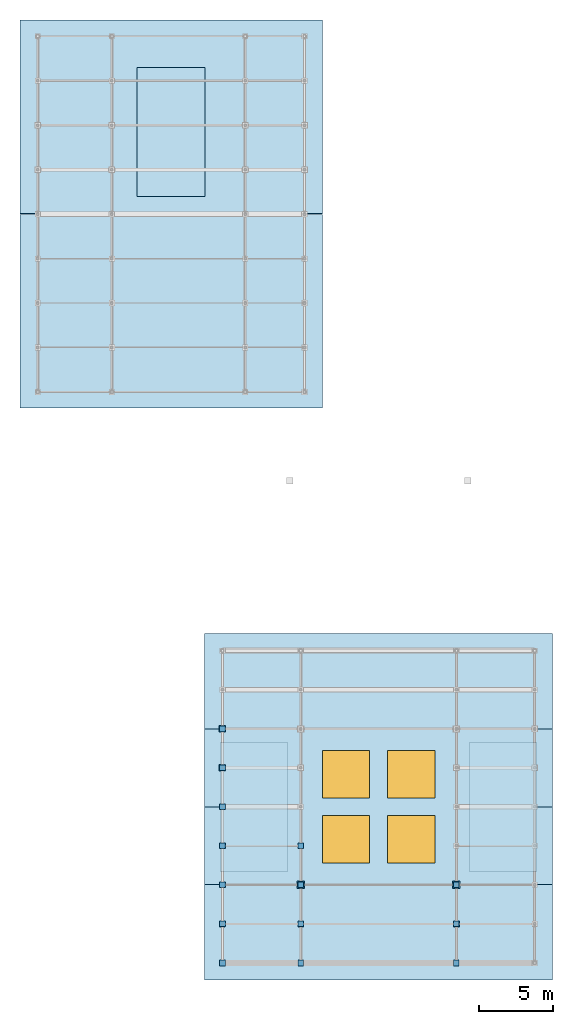
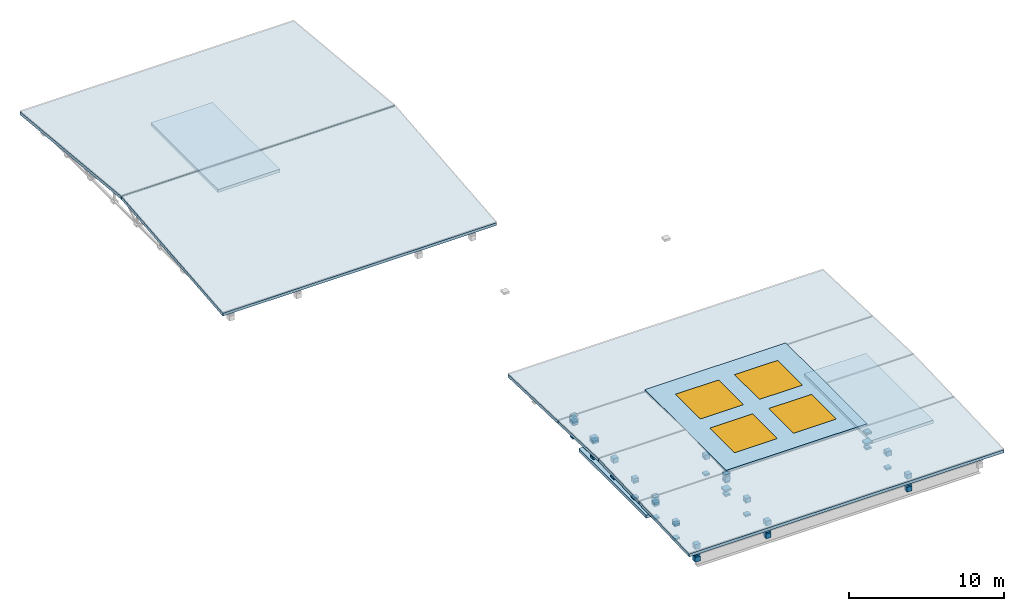
# One storey, part 21 of 25: 49 discrete accessories, 12 slabs, 4 windows, 4 openings.
"""IFC4 building model written with IfcOpenShell, lengths in metres."""

import ifcopenshell
import ifcopenshell.guid

model = None  # the IFC model being written
_history = None  # IfcOwnerHistory: only IFC2X3 demands one
_inside = {}  # id of a spatial element -> (the spatial element, [elements in it])
_under = {}  # id of a project, library or spatial element -> (it, [spatial elements below it])
_declared = {}  # id of a project -> (the project, [libraries it declares])
_typed = {}  # id of a type object -> (the type object, [elements of that type])
_made_of = {}  # id of a material, layer set ... -> (it, [elements and type objects made of it])


def new_model(schema):
    """Start an empty IFC model of exactly this schema.

    Asked for "IFC4X3", IfcOpenShell would pick the latest addendum, in which some entities
    have other attributes; the version numbers below select the first issue.
    IFC2X3 requires an IfcOwnerHistory on every rooted entity: one is made here for all.
    """
    global model, _history
    if schema == "IFC4X3":
        model = ifcopenshell.file(schema_version=(4, 3, 0, 0))
    else:
        model = ifcopenshell.file(schema=schema)
    _inside.clear()
    _under.clear()
    _declared.clear()
    _typed.clear()
    _made_of.clear()
    _history = None
    if model.schema == "IFC2X3":
        org = make("IfcOrganization", Name="unknown")
        user = make(
            "IfcPersonAndOrganization",
            ThePerson=make("IfcPerson", FamilyName="unknown"),
            TheOrganization=org,
        )
        app = make(
            "IfcApplication",
            ApplicationDeveloper=org,
            Version="unknown",
            ApplicationFullName="unknown",
            ApplicationIdentifier="unknown",
        )
        _history = make(
            "IfcOwnerHistory",
            OwningUser=user,
            OwningApplication=app,
            ChangeAction="ADDED",
            CreationDate=0,
        )
    return model


def make(cls, **values):
    """One entity of the class cls with the attributes given. An attribute that is None is left unset."""
    return model.create_entity(
        cls, **{name: value for name, value in values.items() if value is not None}
    )


def rooted(cls, **values):
    """An entity with a GlobalId (a new one), such as an element, a storey or a relation."""
    return make(cls, GlobalId=ifcopenshell.guid.new(), OwnerHistory=_history, **values)


def si_unit(unit_type, name, prefix=None):
    """IfcSIUnit, for example si_unit("LENGTHUNIT", "METRE", prefix="MILLI")."""
    return make("IfcSIUnit", UnitType=unit_type, Prefix=prefix, Name=name)


def assignment(units):
    """IfcUnitAssignment: the units of a project."""
    return None if units is None else make("IfcUnitAssignment", Units=units)


def point(xyz):
    """IfcCartesianPoint."""
    return None if xyz is None else make("IfcCartesianPoint", Coordinates=xyz)


def direction(xyz):
    """IfcDirection."""
    return None if xyz is None else make("IfcDirection", DirectionRatios=xyz)


def frame(location, z_axis=None, x_axis=None):
    """IfcAxis2Placement3D, a coordinate frame: its origin and axes. An axis left out is left unset."""
    return make(
        "IfcAxis2Placement3D",
        Location=point(location),
        Axis=direction(z_axis),
        RefDirection=direction(x_axis),
    )


def frame_2d(location, x_axis=None):
    """IfcAxis2Placement2D, a coordinate frame in the plane: its origin and x axis."""
    return make(
        "IfcAxis2Placement2D", Location=point(location), RefDirection=direction(x_axis)
    )


def origin():
    """The frame at (0, 0, 0) with its axes left unset."""
    return frame((0.0, 0.0, 0.0))


def origin_2d():
    """The frame at (0, 0) in the plane with its x axis left unset."""
    return frame_2d((0.0, 0.0))


def place(relative_to, where):
    """IfcLocalPlacement: puts the frame where relative to a parent placement (None: the world)."""
    return make(
        "IfcLocalPlacement", PlacementRelTo=relative_to, RelativePlacement=where
    )


def context(
    kind, dimensions, precision=None, world=None, true_north=None, identifier=None
):
    """IfcGeometricRepresentationContext, for example the 3D "Model" context."""
    return make(
        "IfcGeometricRepresentationContext",
        ContextIdentifier=identifier,
        ContextType=kind,
        CoordinateSpaceDimension=dimensions,
        Precision=precision,
        WorldCoordinateSystem=world,
        TrueNorth=true_north,
    )


def subcontext(parent, identifier, kind, view, scale=None):
    """IfcGeometricRepresentationSubContext, for example "Body" below "Model"."""
    return make(
        "IfcGeometricRepresentationSubContext",
        ContextIdentifier=identifier,
        ContextType=kind,
        ParentContext=parent,
        TargetScale=scale,
        TargetView=view,
    )


def project(units=None, contexts=None):
    """IfcProject with its units and contexts."""
    return rooted(
        "IfcProject",
        Name="project",
        RepresentationContexts=contexts,
        UnitsInContext=assignment(units),
    )


def spatial(cls, under=None, at=None, **own):
    """A site, building, storey or space (cls), placed at a placement, below another one or the project."""
    s = rooted(cls, ObjectPlacement=at, **own)
    if under is not None:
        _under.setdefault(under.id(), (under, []))[1].append(s)
    return s


def polyline(points):
    """IfcPolyline through the points."""
    return make("IfcPolyline", Points=[point(p) for p in points])


def profile(cls, at=None, kind="AREA", **sizes):
    """A parametric profile (cls). Its sizes go by their IFC names, for example OverallWidth=200.0."""
    return make(cls, ProfileType=kind, Position=at, **sizes)


def rectangle(**sizes):
    """IfcRectangleProfileDef."""
    return profile("IfcRectangleProfileDef", **sizes)


def outline(outer, holes=None, kind="AREA"):
    """IfcArbitraryClosedProfileDef: a profile drawn as a closed curve; with holes, ...WithVoids."""
    if holes is None:
        return make("IfcArbitraryClosedProfileDef", ProfileType=kind, OuterCurve=outer)
    return make(
        "IfcArbitraryProfileDefWithVoids",
        ProfileType=kind,
        OuterCurve=outer,
        InnerCurves=holes,
    )


def extrude(swept, where, along, depth):
    """IfcExtrudedAreaSolid: the profile swept, set in the frame where, extruded along a direction by depth."""
    return make(
        "IfcExtrudedAreaSolid",
        SweptArea=swept,
        Position=where,
        ExtrudedDirection=direction(along),
        Depth=depth,
    )


def shape(context_of_items, identifier, shape_type, items):
    """IfcShapeRepresentation: the items that make up one representation, for example the "Body"."""
    return make(
        "IfcShapeRepresentation",
        ContextOfItems=context_of_items,
        RepresentationIdentifier=identifier,
        RepresentationType=shape_type,
        Items=items,
    )


def material(Name=None, Category=None):
    """IfcMaterial."""
    return make("IfcMaterial", Name=Name, Category=Category)


def layer(
    of_material, thickness, ventilated=None, Name=None, Category=None, Priority=None
):
    """IfcMaterialLayer: one layer of a wall or slab, of a material (None: an air gap)."""
    return make(
        "IfcMaterialLayer",
        Material=of_material,
        LayerThickness=thickness,
        IsVentilated=ventilated,
        Name=Name,
        Category=Category,
        Priority=Priority,
    )


def layer_set(layers, Name=None):
    """IfcMaterialLayerSet."""
    return make("IfcMaterialLayerSet", MaterialLayers=layers, LayerSetName=Name)


def made_of(thing, what):
    """Note that an element or type object is made of a material, layer set ...; save() writes the relation."""
    if what is not None:
        _made_of.setdefault(what.id(), (what, []))[1].append(thing)
    return thing


def type_object(cls, material=None, **own):
    """A type object (cls), such as IfcWallType, which elements share."""
    return made_of(rooted(cls, **own), material)


def element(
    cls,
    number,
    at=None,
    inside=None,
    cuts=None,
    type_object=None,
    material=None,
    context=None,
    identifier="Body",
    shape_type=None,
    held_by="IfcProductDefinitionShape",
    body=None,
    shapes=None,
    **own,
):
    """One element of the class cls, such as IfcWall. Its Tag is "e" and its number.

    at: its placement. inside: the storey or other place that contains it. cuts: it is an
    opening in that element (IfcRelVoidsElement). A single representation is given by context,
    identifier, shape_type and body (its items); several are given by shapes. held_by: the class
    of the entity that holds the representations. save() writes the other relations.
    """
    e = rooted(cls, Tag="e%d" % number, ObjectPlacement=at, **own)
    if body is not None:
        shapes = [shape(context, identifier, shape_type, body)]
    if shapes is not None:
        e.Representation = make(held_by, Representations=shapes)
    if inside is not None:
        _inside.setdefault(inside.id(), (inside, []))[1].append(e)
    if cuts is not None:
        rooted(
            "IfcRelVoidsElement", RelatingBuildingElement=cuts, RelatedOpeningElement=e
        )
    if type_object is not None:
        _typed.setdefault(type_object.id(), (type_object, []))[1].append(e)
    return made_of(e, material)


def fill(opening, filler):
    """IfcRelFillsElement: the door or window that sits in an opening."""
    return rooted(
        "IfcRelFillsElement",
        RelatingOpeningElement=opening,
        RelatedBuildingElement=filler,
    )


def aggregate(whole, parts):
    """IfcRelAggregates: a whole, such as a stair, and the parts it consists of."""
    return rooted("IfcRelAggregates", RelatingObject=whole, RelatedObjects=parts)


def save(model, path):
    """Write the relations noted so far, then the file.

    IfcRelAggregates (storeys below a building ...), IfcRelContainedInSpatialStructure (elements
    in a storey), IfcRelDefinesByType, IfcRelAssociatesMaterial and IfcRelDeclares: one each for
    every whole, place, type object, material and project.
    """
    for whole, parts in _under.values():
        aggregate(whole, parts)
    for where, things in _inside.values():
        rooted(
            "IfcRelContainedInSpatialStructure",
            RelatedElements=things,
            RelatingStructure=where,
        )
    for kind, things in _typed.values():
        rooted("IfcRelDefinesByType", RelatedObjects=things, RelatingType=kind)
    for what, things in _made_of.values():
        rooted("IfcRelAssociatesMaterial", RelatedObjects=things, RelatingMaterial=what)
    for by, libraries in _declared.values():
        rooted("IfcRelDeclares", RelatingContext=by, RelatedDefinitions=libraries)
    model.write(path)


model = new_model("IFC4")

# Units and contexts
model_context = context("Model", 3, precision=1e-05, world=origin(), true_north=direction((0.0, 1.0)))
body_context = subcontext(model_context, "Body", "Model", "MODEL_VIEW")
ifc_project = project(units=[si_unit("LENGTHUNIT", "METRE"), si_unit("AREAUNIT", "SQUARE_METRE"), si_unit("VOLUMEUNIT", "CUBIC_METRE"), si_unit("PLANEANGLEUNIT", "RADIAN"), si_unit("MASSUNIT", "GRAM", prefix="KILO"), si_unit("THERMODYNAMICTEMPERATUREUNIT", "KELVIN"), si_unit("POWERUNIT", "WATT")], contexts=[model_context])

# Site, building, storey
site_placement = place(None, origin())
site = spatial("IfcSite", under=ifc_project, at=site_placement, CompositionType="ELEMENT")
building_placement = place(site_placement, origin())
building = spatial("IfcBuilding", under=site, at=building_placement, Name="Zelmaris Science Centre", CompositionType="ELEMENT")
storey_placement = place(building_placement, frame((0.0, 0.0, 30.0)))
storey = spatial("IfcBuildingStorey", under=building, at=storey_placement, Name="RF", CompositionType="ELEMENT", Elevation=30.0)

# Slabs
ifc_material_1 = material(Name="Concrete C35/45", Category="concrete")
ifc_layer = layer(ifc_material_1, 0.239990234375, Name="Concrete C35/45")
ifc_layer_set = layer_set([ifc_layer], Name="Concrete C35/45")
slab_type = type_object("IfcSlabType", Name="Slab SL-RF240 240mm", PredefinedType="ROOF", material=ifc_layer_set)
for number, where, z_axis, x_axis, name in (
    (1, (56.800048828125, 62.89990234375, 1.694580078125), (0.0, -0.095391203525, 0.995439861714), (1.0, 0.0, 0.0), "RF-V5 Hurricane pitched roof slab S"),
    (2, (56.800048828125, 76.0380859375, 2.9462890625), (0.0, 0.095391203525, 0.995439861714), (1.0, 0.0, 0.0), "RF-V5 Hurricane pitched roof slab N"),
):
    element("IfcSlab", number, at=place(storey_placement, frame(where, z_axis=z_axis, x_axis=x_axis)), inside=storey, type_object=slab_type, Name=name, PredefinedType="ROOF", context=body_context, shape_type="SweptSolid", body=[
        extrude(outline(polyline([(0.0, 0.0), (20.39990234375, 0.0), (20.39990234375, 13.121849165507406), (0.0, 13.121849165507406), (0.0, 0.0)])), origin(), (0.0, 0.0, -1.0), 0.239990234375),
    ])

# Slab, openings, windows
slab_1_placement = place(storey_placement, frame((0.0, 0.0, 1.93994140625)))
slab_1 = element("IfcSlab", 3, at=slab_1_placement, inside=storey, type_object=slab_type, Name="RF-V2 Skylight lantern roof deck", PredefinedType="ROOF", context=body_context, shape_type="SweptSolid", body=[
    extrude(outline(polyline([(75.75, 30.75), (86.25, 30.75), (86.25, 41.25), (75.75, 41.25), (75.75, 30.75)])), origin(), (0.0, 0.0, 1.0), 0.239990234375),
])
opening_1_placement = place(slab_1_placement, frame((78.800048828125, 33.800048828125, 0.0)))
opening_1 = element("IfcOpeningElement", 4, at=opening_1_placement, cuts=slab_1, Name="Opening SK-03", PredefinedType="OPENING", context=body_context, shape_type="SweptSolid", body=[
    extrude(rectangle(XDim=3.199951171875, YDim=3.199951171875, at=origin_2d()), frame((0.0, 0.0, -0.010009765625)), (0.0, 0.0, 1.0), 0.260009765625),
])
opening_2_placement = place(slab_1_placement, frame((83.199951171875, 33.800048828125, 0.0)))
opening_2 = element("IfcOpeningElement", 5, at=opening_2_placement, cuts=slab_1, Name="Opening SK-03", PredefinedType="OPENING", context=body_context, shape_type="SweptSolid", body=[
    extrude(rectangle(XDim=3.199951171875, YDim=3.199951171875, at=origin_2d()), frame((0.0, 0.0, -0.010009765625)), (0.0, 0.0, 1.0), 0.260009765625),
])
opening_3_placement = place(slab_1_placement, frame((78.800048828125, 38.199951171875, 0.0)))
opening_3 = element("IfcOpeningElement", 6, at=opening_3_placement, cuts=slab_1, Name="Opening SK-03", PredefinedType="OPENING", context=body_context, shape_type="SweptSolid", body=[
    extrude(rectangle(XDim=3.199951171875, YDim=3.199951171875, at=origin_2d()), frame((0.0, 0.0, -0.010009765625)), (0.0, 0.0, 1.0), 0.260009765625),
])
opening_4_placement = place(slab_1_placement, frame((83.199951171875, 38.199951171875, 0.0)))
opening_4 = element("IfcOpeningElement", 7, at=opening_4_placement, cuts=slab_1, Name="Opening SK-03", PredefinedType="OPENING", context=body_context, shape_type="SweptSolid", body=[
    extrude(rectangle(XDim=3.199951171875, YDim=3.199951171875, at=origin_2d()), frame((0.0, 0.0, -0.010009765625)), (0.0, 0.0, 1.0), 0.260009765625),
])
ifc_material_2 = material(Name="Laminated hurricane-rated low-E insulated glazing", Category="glass")
window_type = type_object("IfcWindowType", Name="Roof Skylight SK-03 3200x3200", PartitioningType="SINGLE_PANEL", PredefinedType="SKYLIGHT", material=ifc_material_2)
window_1_placement = place(opening_1_placement, frame((0.0, 0.0, 0.18994140625)))
window_1 = element("IfcWindow", 8, at=window_1_placement, inside=storey, type_object=window_type, Name="Atrium lantern skylight SW", OverallHeight=3.199951171875, OverallWidth=3.199951171875, PartitioningType="SINGLE_PANEL", PredefinedType="SKYLIGHT", context=body_context, shape_type="SweptSolid", body=[
    extrude(rectangle(XDim=3.199951171875, YDim=3.199951171875, at=origin_2d()), origin(), (0.0, 0.0, 1.0), 0.050048828125),
])
fill(opening_1, window_1)
window_2_placement = place(opening_2_placement, frame((0.0, 0.0, 0.18994140625)))
window_2 = element("IfcWindow", 9, at=window_2_placement, inside=storey, type_object=window_type, Name="Atrium lantern skylight SE", OverallHeight=3.199951171875, OverallWidth=3.199951171875, PartitioningType="SINGLE_PANEL", PredefinedType="SKYLIGHT", context=body_context, shape_type="SweptSolid", body=[
    extrude(rectangle(XDim=3.199951171875, YDim=3.199951171875, at=origin_2d()), origin(), (0.0, 0.0, 1.0), 0.050048828125),
])
fill(opening_2, window_2)
window_3_placement = place(opening_3_placement, frame((0.0, 0.0, 0.18994140625)))
window_3 = element("IfcWindow", 10, at=window_3_placement, inside=storey, type_object=window_type, Name="Atrium lantern skylight NW", OverallHeight=3.199951171875, OverallWidth=3.199951171875, PartitioningType="SINGLE_PANEL", PredefinedType="SKYLIGHT", context=body_context, shape_type="SweptSolid", body=[
    extrude(rectangle(XDim=3.199951171875, YDim=3.199951171875, at=origin_2d()), origin(), (0.0, 0.0, 1.0), 0.050048828125),
])
fill(opening_3, window_3)
window_4_placement = place(opening_4_placement, frame((0.0, 0.0, 0.18994140625)))
window_4 = element("IfcWindow", 11, at=window_4_placement, inside=storey, type_object=window_type, Name="Atrium lantern skylight NE", OverallHeight=3.199951171875, OverallWidth=3.199951171875, PartitioningType="SINGLE_PANEL", PredefinedType="SKYLIGHT", context=body_context, shape_type="SweptSolid", body=[
    extrude(rectangle(XDim=3.199951171875, YDim=3.199951171875, at=origin_2d()), origin(), (0.0, 0.0, 1.0), 0.050048828125),
])
fill(opening_4, window_4)

# Slabs
for number, where, z_axis, x_axis, name in (
    (12, (69.26416015625, 24.314208984375, 1.758544921875), (0.0, -0.036014707219, 0.99935126), (1.0, 0.0, 0.0), "RF-V2 Hurricane pitched roof slab S"),
    (13, (69.26416015625, 41.25, 1.990478515625), (0.0, 0.036014707219, 0.99935126), (1.0, 0.0, 0.0), "RF-V2 Hurricane pitched roof slab N"),
):
    element("IfcSlab", number, at=place(storey_placement, frame(where, z_axis=z_axis, x_axis=x_axis)), inside=storey, type_object=slab_type, Name=name, PredefinedType="ROOF", context=body_context, shape_type="SweptSolid", body=[
        extrude(outline(polyline([(0.0, 0.0), (23.4716796875, 0.0), (23.4716796875, 6.4399688810357825), (0.0, 6.4399688810357825), (0.0, 0.0)])), origin(), (0.0, 0.0, -1.0), 0.239990234375),
    ])
for number, where, z_axis, x_axis, name in (
    (14, (69.26416015625, 30.75, 1.990478515625), (0.0, -0.036062836259, 0.999349524361), (1.0, 0.0, 0.0), "RF-V2 Hurricane pitched roof slab WS"),
    (15, (69.26416015625, 36.0, 2.179931640625), (0.0, 0.036062836259, 0.999349524361), (1.0, 0.0, 0.0), "RF-V2 Hurricane pitched roof slab WN"),
    (16, (86.25, 30.75, 1.990478515625), (0.0, -0.036062836259, 0.999349524361), (1.0, 0.0, 0.0), "RF-V2 Hurricane pitched roof slab ES"),
    (17, (86.25, 36.0, 2.179931640625), (0.0, 0.036062836259, 0.999349524361), (1.0, 0.0, 0.0), "RF-V2 Hurricane pitched roof slab EN"),
):
    element("IfcSlab", number, at=place(storey_placement, frame(where, z_axis=z_axis, x_axis=x_axis)), inside=storey, type_object=slab_type, Name=name, PredefinedType="ROOF", context=body_context, shape_type="SweptSolid", body=[
        extrude(outline(polyline([(0.0, 0.0), (6.48583984375, 0.0), (6.48583984375, 5.253417219921931), (0.0, 5.253417219921931), (0.0, 0.0)])), origin(), (0.0, 0.0, -1.0), 0.239990234375),
    ])
slab_2_placement = place(storey_placement, frame((0.0, 0.0, -0.239990234375)))
element("IfcSlab", 18, at=slab_2_placement, inside=storey, type_object=slab_type, Name="ST-1 Stair shaft headhouse roof slab", PredefinedType="ROOF", context=body_context, shape_type="SweptSolid", body=[
    extrude(outline(polyline([(74.89990234375, 31.64990234375), (74.89990234375, 40.35009765625), (70.300048828125, 40.35009765625), (70.300048828125, 31.64990234375), (74.89990234375, 31.64990234375)])), origin(), (0.0, 0.0, 1.0), 0.239990234375),
])
slab_3_placement = place(storey_placement, frame((0.0, 0.0, -0.239990234375)))
element("IfcSlab", 19, at=slab_3_placement, inside=storey, type_object=slab_type, Name="ST-2 Stair shaft headhouse roof slab", PredefinedType="ROOF", context=body_context, shape_type="SweptSolid", body=[
    extrude(outline(polyline([(87.10009765625, 31.64990234375), (87.10009765625, 40.35009765625), (91.699951171875, 40.35009765625), (91.699951171875, 31.64990234375), (87.10009765625, 31.64990234375)])), origin(), (0.0, 0.0, 1.0), 0.239990234375),
])
slab_4_placement = place(storey_placement, frame((0.0, 0.0, -0.239990234375)))
element("IfcSlab", 20, at=slab_4_placement, inside=storey, type_object=slab_type, Name="ST-3 Stair shaft headhouse roof slab", PredefinedType="ROOF", context=body_context, shape_type="SweptSolid", body=[
    extrude(outline(polyline([(64.699951171875, 85.89990234375), (69.300048828125, 85.89990234375), (69.300048828125, 77.199951171875), (64.699951171875, 77.199951171875), (64.699951171875, 85.89990234375)])), origin(), (0.0, 0.0, 1.0), 0.239990234375),
])

# Discrete accessories
ifc_material_3 = material(Name="Steel ASTM A500 Grade C", Category="steel")
discrete_accessory_type = type_object("IfcDiscreteAccessoryType", Name="Hollow Section End Cap Plate BK-ECP", PredefinedType="BRACKET", material=ifc_material_3)
discrete_accessory_1_placement = place(storey_placement, frame((0.0, 0.0, 0.677001953125)))
element("IfcDiscreteAccessory", 21, at=discrete_accessory_1_placement, inside=storey, type_object=discrete_accessory_type, Name="End cap plate 8", PredefinedType="BRACKET", context=body_context, shape_type="SweptSolid", body=[
    extrude(outline(polyline([(75.502197265625, 30.502197265625), (75.997802734375, 30.502197265625), (75.997802734375, 30.997802734375), (75.502197265625, 30.997802734375), (75.502197265625, 30.502197265625)])), origin(), (0.0, 0.0, 1.0), 0.157958984375),
])
discrete_accessory_2_placement = place(storey_placement, frame((0.0, 0.0, 0.677001953125)))
element("IfcDiscreteAccessory", 22, at=discrete_accessory_2_placement, inside=storey, type_object=discrete_accessory_type, Name="End cap plate 16", PredefinedType="BRACKET", context=body_context, shape_type="SweptSolid", body=[
    extrude(outline(polyline([(86.002197265625, 30.502197265625), (86.497802734375, 30.502197265625), (86.497802734375, 30.997802734375), (86.002197265625, 30.997802734375), (86.002197265625, 30.502197265625)])), origin(), (0.0, 0.0, 1.0), 0.157958984375),
])
discrete_accessory_3_placement = place(storey_placement, frame((0.0, 0.0, 0.1591796875)))
element("IfcDiscreteAccessory", 23, at=discrete_accessory_3_placement, inside=storey, type_object=discrete_accessory_type, Name="End cap plate 431", PredefinedType="BRACKET", context=body_context, shape_type="SweptSolid", body=[
    extrude(outline(polyline([(70.275146484375, 25.26904296875), (70.653076171875, 25.26904296875), (70.653076171875, 25.647216796875), (70.275146484375, 25.647216796875), (70.275146484375, 25.26904296875)])), origin(), (0.0, 0.0, 1.0), 0.3779296875),
])
discrete_accessory_4_placement = place(storey_placement, frame((0.0, 0.0, 1.1572265625)))
element("IfcDiscreteAccessory", 24, at=discrete_accessory_4_placement, inside=storey, type_object=discrete_accessory_type, Name="End cap plate 433", PredefinedType="BRACKET", context=body_context, shape_type="SweptSolid", body=[
    extrude(outline(polyline([(70.273193359375, 25.267333984375), (70.65478515625, 25.267333984375), (70.65478515625, 25.64892578125), (70.273193359375, 25.64892578125), (70.273193359375, 25.267333984375)])), origin(), (0.0, 0.0, 1.0), 0.381591796875),
])
discrete_accessory_5_placement = place(storey_placement, frame((0.0, 0.0, 1.53759765625)))
element("IfcDiscreteAccessory", 25, at=discrete_accessory_5_placement, inside=storey, type_object=discrete_accessory_type, Name="End cap plate 434", PredefinedType="BRACKET", context=body_context, shape_type="SweptSolid", body=[
    extrude(outline(polyline([(70.273193359375, 35.815185546875), (70.65478515625, 35.815185546875), (70.65478515625, 36.19677734375), (70.273193359375, 36.19677734375), (70.273193359375, 35.815185546875)])), origin(), (0.0, 0.0, 1.0), 0.381591796875),
])
discrete_accessory_6_placement = place(storey_placement, frame((0.0, 0.0, 0.26318359375)))
element("IfcDiscreteAccessory", 26, at=discrete_accessory_6_placement, inside=storey, type_object=discrete_accessory_type, Name="End cap plate 436", PredefinedType="BRACKET", context=body_context, shape_type="SweptSolid", body=[
    extrude(outline(polyline([(70.275146484375, 27.9091796875), (70.653076171875, 27.9091796875), (70.653076171875, 28.287109375), (70.275146484375, 28.287109375), (70.275146484375, 27.9091796875)])), origin(), (0.0, 0.0, 1.0), 0.157958984375),
])
discrete_accessory_7_placement = place(storey_placement, frame((0.0, 0.0, 1.3701171875)))
element("IfcDiscreteAccessory", 27, at=discrete_accessory_7_placement, inside=storey, type_object=discrete_accessory_type, Name="End cap plate 437", PredefinedType="BRACKET", context=body_context, shape_type="SweptSolid", body=[
    extrude(outline(polyline([(70.275146484375, 27.9091796875), (70.653076171875, 27.9091796875), (70.653076171875, 28.287109375), (70.275146484375, 28.287109375), (70.275146484375, 27.9091796875)])), origin(), (0.0, 0.0, 1.0), 0.158203125),
])
discrete_accessory_8_placement = place(storey_placement, frame((0.0, 0.0, 0.26318359375)))
element("IfcDiscreteAccessory", 28, at=discrete_accessory_8_placement, inside=storey, type_object=discrete_accessory_type, Name="End cap plate 438", PredefinedType="BRACKET", context=body_context, shape_type="SweptSolid", body=[
    extrude(outline(polyline([(70.275146484375, 30.54296875), (70.653076171875, 30.54296875), (70.653076171875, 30.9208984375), (70.275146484375, 30.9208984375), (70.275146484375, 30.54296875)])), origin(), (0.0, 0.0, 1.0), 0.157958984375),
])
discrete_accessory_9_placement = place(storey_placement, frame((0.0, 0.0, 1.465087890625)))
element("IfcDiscreteAccessory", 29, at=discrete_accessory_9_placement, inside=storey, type_object=discrete_accessory_type, Name="End cap plate 439", PredefinedType="BRACKET", context=body_context, shape_type="SweptSolid", body=[
    extrude(outline(polyline([(70.275146484375, 30.54296875), (70.653076171875, 30.54296875), (70.653076171875, 30.9208984375), (70.275146484375, 30.9208984375), (70.275146484375, 30.54296875)])), origin(), (0.0, 0.0, 1.0), 0.158203125),
])
for number, where, name in (
    (30, (0.0, 0.0, 0.26318359375), "End cap plate 440"),
    (31, (0.0, 0.0, 1.560302734375), "End cap plate 441"),
):
    element("IfcDiscreteAccessory", number, at=place(storey_placement, frame(where)), inside=storey, type_object=discrete_accessory_type, Name=name, PredefinedType="BRACKET", context=body_context, shape_type="SweptSolid", body=[
        extrude(outline(polyline([(70.275146484375, 33.177001953125), (70.653076171875, 33.177001953125), (70.653076171875, 33.554931640625), (70.275146484375, 33.554931640625), (70.275146484375, 33.177001953125)])), origin(), (0.0, 0.0, 1.0), 0.157958984375),
    ])
discrete_accessory_10_placement = place(storey_placement, frame((0.0, 0.0, 0.26318359375)))
element("IfcDiscreteAccessory", 32, at=discrete_accessory_10_placement, inside=storey, type_object=discrete_accessory_type, Name="End cap plate 442", PredefinedType="BRACKET", context=body_context, shape_type="SweptSolid", body=[
    extrude(outline(polyline([(70.275146484375, 35.81103515625), (70.653076171875, 35.81103515625), (70.653076171875, 36.18896484375), (70.275146484375, 36.18896484375), (70.275146484375, 35.81103515625)])), origin(), (0.0, 0.0, 1.0), 0.157958984375),
])
for number, where, name in (
    (33, (0.0, 0.0, 0.26318359375), "End cap plate 443"),
    (34, (0.0, 0.0, 1.560302734375), "End cap plate 444"),
):
    element("IfcDiscreteAccessory", number, at=place(storey_placement, frame(where)), inside=storey, type_object=discrete_accessory_type, Name=name, PredefinedType="BRACKET", context=body_context, shape_type="SweptSolid", body=[
        extrude(outline(polyline([(70.275146484375, 38.445068359375), (70.653076171875, 38.445068359375), (70.653076171875, 38.822998046875), (70.275146484375, 38.822998046875), (70.275146484375, 38.445068359375)])), origin(), (0.0, 0.0, 1.0), 0.157958984375),
    ])
discrete_accessory_11_placement = place(storey_placement, frame((0.0, 0.0, 0.26318359375)))
element("IfcDiscreteAccessory", 35, at=discrete_accessory_11_placement, inside=storey, type_object=discrete_accessory_type, Name="End cap plate 445", PredefinedType="BRACKET", context=body_context, shape_type="SweptSolid", body=[
    extrude(outline(polyline([(70.275146484375, 41.078857421875), (70.653076171875, 41.078857421875), (70.653076171875, 41.456787109375), (70.275146484375, 41.456787109375), (70.275146484375, 41.078857421875)])), origin(), (0.0, 0.0, 1.0), 0.157958984375),
])
discrete_accessory_12_placement = place(storey_placement, frame((0.0, 0.0, 1.465087890625)))
element("IfcDiscreteAccessory", 36, at=discrete_accessory_12_placement, inside=storey, type_object=discrete_accessory_type, Name="End cap plate 446", PredefinedType="BRACKET", context=body_context, shape_type="SweptSolid", body=[
    extrude(outline(polyline([(70.275146484375, 41.078857421875), (70.653076171875, 41.078857421875), (70.653076171875, 41.456787109375), (70.275146484375, 41.456787109375), (70.275146484375, 41.078857421875)])), origin(), (0.0, 0.0, 1.0), 0.158203125),
])
discrete_accessory_13_placement = place(storey_placement, frame((0.0, 0.0, 0.64501953125)))
element("IfcDiscreteAccessory", 37, at=discrete_accessory_13_placement, inside=storey, type_object=discrete_accessory_type, Name="End cap plate 449", PredefinedType="BRACKET", context=body_context, shape_type="SweptSolid", body=[
    extrude(outline(polyline([(70.273193359375, 25.273193359375), (70.65478515625, 25.273193359375), (70.65478515625, 25.65478515625), (70.273193359375, 25.65478515625), (70.273193359375, 25.273193359375)])), origin(), (0.0, 0.0, 1.0), 0.157958984375),
])
discrete_accessory_14_placement = place(storey_placement, frame((0.0, 0.0, 0.1591796875)))
element("IfcDiscreteAccessory", 38, at=discrete_accessory_14_placement, inside=storey, type_object=discrete_accessory_type, Name="End cap plate 451", PredefinedType="BRACKET", context=body_context, shape_type="SweptSolid", body=[
    extrude(outline(polyline([(75.56103515625, 25.26904296875), (75.93896484375, 25.26904296875), (75.93896484375, 25.647216796875), (75.56103515625, 25.647216796875), (75.56103515625, 25.26904296875)])), origin(), (0.0, 0.0, 1.0), 0.3779296875),
])
discrete_accessory_15_placement = place(storey_placement, frame((0.0, 0.0, 1.1572265625)))
element("IfcDiscreteAccessory", 39, at=discrete_accessory_15_placement, inside=storey, type_object=discrete_accessory_type, Name="End cap plate 453", PredefinedType="BRACKET", context=body_context, shape_type="SweptSolid", body=[
    extrude(outline(polyline([(75.55908203125, 25.267333984375), (75.94091796875, 25.267333984375), (75.94091796875, 25.64892578125), (75.55908203125, 25.64892578125), (75.55908203125, 25.267333984375)])), origin(), (0.0, 0.0, 1.0), 0.381591796875),
])
discrete_accessory_16_placement = place(storey_placement, frame((0.0, 0.0, 0.26318359375)))
element("IfcDiscreteAccessory", 40, at=discrete_accessory_16_placement, inside=storey, type_object=discrete_accessory_type, Name="End cap plate 456", PredefinedType="BRACKET", context=body_context, shape_type="SweptSolid", body=[
    extrude(outline(polyline([(75.56103515625, 27.9091796875), (75.93896484375, 27.9091796875), (75.93896484375, 28.287109375), (75.56103515625, 28.287109375), (75.56103515625, 27.9091796875)])), origin(), (0.0, 0.0, 1.0), 0.157958984375),
])
discrete_accessory_17_placement = place(storey_placement, frame((0.0, 0.0, 1.3701171875)))
element("IfcDiscreteAccessory", 41, at=discrete_accessory_17_placement, inside=storey, type_object=discrete_accessory_type, Name="End cap plate 457", PredefinedType="BRACKET", context=body_context, shape_type="SweptSolid", body=[
    extrude(outline(polyline([(75.56103515625, 27.9091796875), (75.93896484375, 27.9091796875), (75.93896484375, 28.287109375), (75.56103515625, 28.287109375), (75.56103515625, 27.9091796875)])), origin(), (0.0, 0.0, 1.0), 0.158203125),
])
discrete_accessory_18_placement = place(storey_placement, frame((0.0, 0.0, 0.26318359375)))
element("IfcDiscreteAccessory", 42, at=discrete_accessory_18_placement, inside=storey, type_object=discrete_accessory_type, Name="End cap plate 458", PredefinedType="BRACKET", context=body_context, shape_type="SweptSolid", body=[
    extrude(outline(polyline([(75.56103515625, 30.54296875), (75.93896484375, 30.54296875), (75.93896484375, 30.9208984375), (75.56103515625, 30.9208984375), (75.56103515625, 30.54296875)])), origin(), (0.0, 0.0, 1.0), 0.157958984375),
])
discrete_accessory_19_placement = place(storey_placement, frame((0.0, 0.0, 1.465087890625)))
element("IfcDiscreteAccessory", 43, at=discrete_accessory_19_placement, inside=storey, type_object=discrete_accessory_type, Name="End cap plate 459", PredefinedType="BRACKET", context=body_context, shape_type="SweptSolid", body=[
    extrude(outline(polyline([(75.56103515625, 30.54296875), (75.93896484375, 30.54296875), (75.93896484375, 30.9208984375), (75.56103515625, 30.9208984375), (75.56103515625, 30.54296875)])), origin(), (0.0, 0.0, 1.0), 0.158203125),
])
for number, where, name in (
    (44, (0.0, 0.0, 0.26318359375), "End cap plate 460"),
    (45, (0.0, 0.0, 1.560302734375), "End cap plate 461"),
):
    element("IfcDiscreteAccessory", number, at=place(storey_placement, frame(where)), inside=storey, type_object=discrete_accessory_type, Name=name, PredefinedType="BRACKET", context=body_context, shape_type="SweptSolid", body=[
        extrude(outline(polyline([(75.56103515625, 33.177001953125), (75.93896484375, 33.177001953125), (75.93896484375, 33.554931640625), (75.56103515625, 33.554931640625), (75.56103515625, 33.177001953125)])), origin(), (0.0, 0.0, 1.0), 0.157958984375),
    ])
discrete_accessory_20_placement = place(storey_placement, frame((0.0, 0.0, 0.64501953125)))
element("IfcDiscreteAccessory", 46, at=discrete_accessory_20_placement, inside=storey, type_object=discrete_accessory_type, Name="End cap plate 469", PredefinedType="BRACKET", context=body_context, shape_type="SweptSolid", body=[
    extrude(outline(polyline([(75.55908203125, 25.273193359375), (75.94091796875, 25.273193359375), (75.94091796875, 25.65478515625), (75.55908203125, 25.65478515625), (75.55908203125, 25.273193359375)])), origin(), (0.0, 0.0, 1.0), 0.157958984375),
])
discrete_accessory_21_placement = place(storey_placement, frame((0.0, 0.0, 0.1591796875)))
element("IfcDiscreteAccessory", 47, at=discrete_accessory_21_placement, inside=storey, type_object=discrete_accessory_type, Name="End cap plate 471", PredefinedType="BRACKET", context=body_context, shape_type="SweptSolid", body=[
    extrude(outline(polyline([(86.06103515625, 25.26904296875), (86.43896484375, 25.26904296875), (86.43896484375, 25.647216796875), (86.06103515625, 25.647216796875), (86.06103515625, 25.26904296875)])), origin(), (0.0, 0.0, 1.0), 0.3779296875),
])
discrete_accessory_22_placement = place(storey_placement, frame((0.0, 0.0, 1.1572265625)))
element("IfcDiscreteAccessory", 48, at=discrete_accessory_22_placement, inside=storey, type_object=discrete_accessory_type, Name="End cap plate 473", PredefinedType="BRACKET", context=body_context, shape_type="SweptSolid", body=[
    extrude(outline(polyline([(86.05908203125, 25.267333984375), (86.44091796875, 25.267333984375), (86.44091796875, 25.64892578125), (86.05908203125, 25.64892578125), (86.05908203125, 25.267333984375)])), origin(), (0.0, 0.0, 1.0), 0.381591796875),
])
discrete_accessory_23_placement = place(storey_placement, frame((0.0, 0.0, 0.26318359375)))
element("IfcDiscreteAccessory", 49, at=discrete_accessory_23_placement, inside=storey, type_object=discrete_accessory_type, Name="End cap plate 476", PredefinedType="BRACKET", context=body_context, shape_type="SweptSolid", body=[
    extrude(outline(polyline([(86.06103515625, 27.9091796875), (86.43896484375, 27.9091796875), (86.43896484375, 28.287109375), (86.06103515625, 28.287109375), (86.06103515625, 27.9091796875)])), origin(), (0.0, 0.0, 1.0), 0.157958984375),
])
discrete_accessory_24_placement = place(storey_placement, frame((0.0, 0.0, 1.3701171875)))
element("IfcDiscreteAccessory", 50, at=discrete_accessory_24_placement, inside=storey, type_object=discrete_accessory_type, Name="End cap plate 477", PredefinedType="BRACKET", context=body_context, shape_type="SweptSolid", body=[
    extrude(outline(polyline([(86.06103515625, 27.9091796875), (86.43896484375, 27.9091796875), (86.43896484375, 28.287109375), (86.06103515625, 28.287109375), (86.06103515625, 27.9091796875)])), origin(), (0.0, 0.0, 1.0), 0.158203125),
])
discrete_accessory_25_placement = place(storey_placement, frame((0.0, 0.0, 0.26318359375)))
element("IfcDiscreteAccessory", 51, at=discrete_accessory_25_placement, inside=storey, type_object=discrete_accessory_type, Name="End cap plate 478", PredefinedType="BRACKET", context=body_context, shape_type="SweptSolid", body=[
    extrude(outline(polyline([(86.06103515625, 30.54296875), (86.43896484375, 30.54296875), (86.43896484375, 30.9208984375), (86.06103515625, 30.9208984375), (86.06103515625, 30.54296875)])), origin(), (0.0, 0.0, 1.0), 0.157958984375),
])
discrete_accessory_26_placement = place(storey_placement, frame((0.0, 0.0, 1.465087890625)))
element("IfcDiscreteAccessory", 52, at=discrete_accessory_26_placement, inside=storey, type_object=discrete_accessory_type, Name="End cap plate 479", PredefinedType="BRACKET", context=body_context, shape_type="SweptSolid", body=[
    extrude(outline(polyline([(86.06103515625, 30.54296875), (86.43896484375, 30.54296875), (86.43896484375, 30.9208984375), (86.06103515625, 30.9208984375), (86.06103515625, 30.54296875)])), origin(), (0.0, 0.0, 1.0), 0.158203125),
])
discrete_accessory_27_placement = place(storey_placement, frame((0.0, 0.0, 0.64501953125)))
element("IfcDiscreteAccessory", 53, at=discrete_accessory_27_placement, inside=storey, type_object=discrete_accessory_type, Name="End cap plate 489", PredefinedType="BRACKET", context=body_context, shape_type="SweptSolid", body=[
    extrude(outline(polyline([(86.05908203125, 25.273193359375), (86.44091796875, 25.273193359375), (86.44091796875, 25.65478515625), (86.05908203125, 25.65478515625), (86.05908203125, 25.273193359375)])), origin(), (0.0, 0.0, 1.0), 0.157958984375),
])
discrete_accessory_28_placement = place(storey_placement, frame((0.0, 0.0, 1.347412109375)))
element("IfcDiscreteAccessory", 54, at=discrete_accessory_28_placement, inside=storey, type_object=discrete_accessory_type, Name="End cap plate 511", PredefinedType="BRACKET", context=body_context, shape_type="SweptSolid", body=[
    extrude(outline(polyline([(70.267333984375, 27.9072265625), (70.64892578125, 27.9072265625), (70.64892578125, 28.288818359375), (70.267333984375, 28.288818359375), (70.267333984375, 27.9072265625)])), origin(), (0.0, 0.0, 1.0), 0.381591796875),
])
discrete_accessory_29_placement = place(storey_placement, frame((0.0, 0.0, 1.347412109375)))
element("IfcDiscreteAccessory", 55, at=discrete_accessory_29_placement, inside=storey, type_object=discrete_accessory_type, Name="End cap plate 512", PredefinedType="BRACKET", context=body_context, shape_type="SweptSolid", body=[
    extrude(outline(polyline([(75.565185546875, 27.9072265625), (75.94677734375, 27.9072265625), (75.94677734375, 28.288818359375), (75.565185546875, 28.288818359375), (75.565185546875, 27.9072265625)])), origin(), (0.0, 0.0, 1.0), 0.381591796875),
])
discrete_accessory_30_placement = place(storey_placement, frame((0.0, 0.0, 1.4423828125)))
element("IfcDiscreteAccessory", 56, at=discrete_accessory_30_placement, inside=storey, type_object=discrete_accessory_type, Name="End cap plate 513", PredefinedType="BRACKET", context=body_context, shape_type="SweptSolid", body=[
    extrude(outline(polyline([(70.267333984375, 30.541259765625), (70.64892578125, 30.541259765625), (70.64892578125, 30.9228515625), (70.267333984375, 30.9228515625), (70.267333984375, 30.541259765625)])), origin(), (0.0, 0.0, 1.0), 0.381591796875),
])
discrete_accessory_31_placement = place(storey_placement, frame((0.0, 0.0, 1.4423828125)))
element("IfcDiscreteAccessory", 57, at=discrete_accessory_31_placement, inside=storey, type_object=discrete_accessory_type, Name="End cap plate 514", PredefinedType="BRACKET", context=body_context, shape_type="SweptSolid", body=[
    extrude(outline(polyline([(75.565185546875, 30.541259765625), (75.94677734375, 30.541259765625), (75.94677734375, 30.9228515625), (75.565185546875, 30.9228515625), (75.565185546875, 30.541259765625)])), origin(), (0.0, 0.0, 1.0), 0.381591796875),
])
discrete_accessory_32_placement = place(storey_placement, frame((0.0, 0.0, 1.552001953125)))
element("IfcDiscreteAccessory", 58, at=discrete_accessory_32_placement, inside=storey, type_object=discrete_accessory_type, Name="End cap plate 515", PredefinedType="BRACKET", context=body_context, shape_type="SweptSolid", body=[
    extrude(outline(polyline([(70.26904296875, 33.177001953125), (70.647216796875, 33.177001953125), (70.647216796875, 33.554931640625), (70.26904296875, 33.554931640625), (70.26904296875, 33.177001953125)])), origin(), (0.0, 0.0, 1.0), 0.3779296875),
])
discrete_accessory_33_placement = place(storey_placement, frame((0.0, 0.0, 1.552001953125)))
element("IfcDiscreteAccessory", 59, at=discrete_accessory_33_placement, inside=storey, type_object=discrete_accessory_type, Name="End cap plate 516", PredefinedType="BRACKET", context=body_context, shape_type="SweptSolid", body=[
    extrude(outline(polyline([(75.56689453125, 33.177001953125), (75.945068359375, 33.177001953125), (75.945068359375, 33.554931640625), (75.56689453125, 33.554931640625), (75.56689453125, 33.177001953125)])), origin(), (0.0, 0.0, 1.0), 0.3779296875),
])
discrete_accessory_34_placement = place(storey_placement, frame((0.0, 0.0, 1.483642578125)))
element("IfcDiscreteAccessory", 60, at=discrete_accessory_34_placement, inside=storey, type_object=discrete_accessory_type, Name="End cap plate 517", PredefinedType="BRACKET", context=body_context, shape_type="SweptSolid", body=[
    extrude(outline(polyline([(70.239013671875, 38.414794921875), (70.67724609375, 38.414794921875), (70.67724609375, 38.853271484375), (70.239013671875, 38.853271484375), (70.239013671875, 38.414794921875)])), origin(), (0.0, 0.0, 1.0), 0.4384765625),
])
discrete_accessory_35_placement = place(storey_placement, frame((0.0, 0.0, 1.388671875)))
element("IfcDiscreteAccessory", 61, at=discrete_accessory_35_placement, inside=storey, type_object=discrete_accessory_type, Name="End cap plate 519", PredefinedType="BRACKET", context=body_context, shape_type="SweptSolid", body=[
    extrude(outline(polyline([(70.239013671875, 41.048583984375), (70.67724609375, 41.048583984375), (70.67724609375, 41.487060546875), (70.239013671875, 41.487060546875), (70.239013671875, 41.048583984375)])), origin(), (0.0, 0.0, 1.0), 0.438232421875),
])
discrete_accessory_36_placement = place(storey_placement, frame((0.0, 0.0, 1.347412109375)))
element("IfcDiscreteAccessory", 62, at=discrete_accessory_36_placement, inside=storey, type_object=discrete_accessory_type, Name="End cap plate 521", PredefinedType="BRACKET", context=body_context, shape_type="SweptSolid", body=[
    extrude(outline(polyline([(86.065185546875, 27.9072265625), (86.44677734375, 27.9072265625), (86.44677734375, 28.288818359375), (86.065185546875, 28.288818359375), (86.065185546875, 27.9072265625)])), origin(), (0.0, 0.0, 1.0), 0.381591796875),
])
discrete_accessory_37_placement = place(storey_placement, frame((0.0, 0.0, 1.6708984375)))
element("IfcDiscreteAccessory", 63, at=discrete_accessory_37_placement, inside=storey, type_object=discrete_accessory_type, Name="End cap plate 531", PredefinedType="BRACKET", context=body_context, shape_type="SweptSolid", body=[
    extrude(outline(polyline([(70.26904296875, 30.56103515625), (70.647216796875, 30.56103515625), (70.647216796875, 30.93896484375), (70.26904296875, 30.93896484375), (70.26904296875, 30.56103515625)])), origin(), (0.0, 0.0, 1.0), 0.378173828125),
])
discrete_accessory_38_placement = place(storey_placement, frame((0.0, 0.0, 1.3154296875)))
element("IfcDiscreteAccessory", 64, at=discrete_accessory_38_placement, inside=storey, type_object=discrete_accessory_type, Name="End cap plate 533", PredefinedType="BRACKET", context=body_context, shape_type="SweptSolid", body=[
    extrude(outline(polyline([(70.275146484375, 30.56103515625), (70.653076171875, 30.56103515625), (70.653076171875, 30.93896484375), (70.275146484375, 30.93896484375), (70.275146484375, 30.56103515625)])), origin(), (0.0, 0.0, 1.0), 0.157958984375),
])
discrete_accessory_39_placement = place(storey_placement, frame((0.0, 0.0, 1.3154296875)))
element("IfcDiscreteAccessory", 65, at=discrete_accessory_39_placement, inside=storey, type_object=discrete_accessory_type, Name="End cap plate 534", PredefinedType="BRACKET", context=body_context, shape_type="SweptSolid", body=[
    extrude(outline(polyline([(75.56103515625, 30.56103515625), (75.93896484375, 30.56103515625), (75.93896484375, 30.93896484375), (75.56103515625, 30.93896484375), (75.56103515625, 30.56103515625)])), origin(), (0.0, 0.0, 1.0), 0.157958984375),
])
discrete_accessory_40_placement = place(storey_placement, frame((0.0, 0.0, 1.826904296875)))
element("IfcDiscreteAccessory", 66, at=discrete_accessory_40_placement, inside=storey, type_object=discrete_accessory_type, Name="End cap plate 535", PredefinedType="BRACKET", context=body_context, shape_type="SweptSolid", body=[
    extrude(outline(polyline([(75.56103515625, 30.56103515625), (75.93896484375, 30.56103515625), (75.93896484375, 30.93896484375), (75.56103515625, 30.93896484375), (75.56103515625, 30.56103515625)])), origin(), (0.0, 0.0, 1.0), 0.158203125),
])
discrete_accessory_41_placement = place(storey_placement, frame((0.0, 0.0, 1.6708984375)))
element("IfcDiscreteAccessory", 67, at=discrete_accessory_41_placement, inside=storey, type_object=discrete_accessory_type, Name="End cap plate 539", PredefinedType="BRACKET", context=body_context, shape_type="SweptSolid", body=[
    extrude(outline(polyline([(70.26904296875, 41.06103515625), (70.647216796875, 41.06103515625), (70.647216796875, 41.43896484375), (70.26904296875, 41.43896484375), (70.26904296875, 41.06103515625)])), origin(), (0.0, 0.0, 1.0), 0.378173828125),
])
discrete_accessory_42_placement = place(storey_placement, frame((0.0, 0.0, 1.3154296875)))
element("IfcDiscreteAccessory", 68, at=discrete_accessory_42_placement, inside=storey, type_object=discrete_accessory_type, Name="End cap plate 541", PredefinedType="BRACKET", context=body_context, shape_type="SweptSolid", body=[
    extrude(outline(polyline([(70.275146484375, 41.06103515625), (70.653076171875, 41.06103515625), (70.653076171875, 41.43896484375), (70.275146484375, 41.43896484375), (70.275146484375, 41.06103515625)])), origin(), (0.0, 0.0, 1.0), 0.157958984375),
])
discrete_accessory_43_placement = place(storey_placement, frame((0.0, 0.0, 1.6708984375)))
element("IfcDiscreteAccessory", 69, at=discrete_accessory_43_placement, inside=storey, type_object=discrete_accessory_type, Name="End cap plate 547", PredefinedType="BRACKET", context=body_context, shape_type="SweptSolid", body=[
    extrude(outline(polyline([(75.56103515625, 30.554931640625), (75.93896484375, 30.554931640625), (75.93896484375, 30.93310546875), (75.56103515625, 30.93310546875), (75.56103515625, 30.554931640625)])), origin(), (0.0, 0.0, 1.0), 0.378173828125),
])

save(model, "model.ifc")
